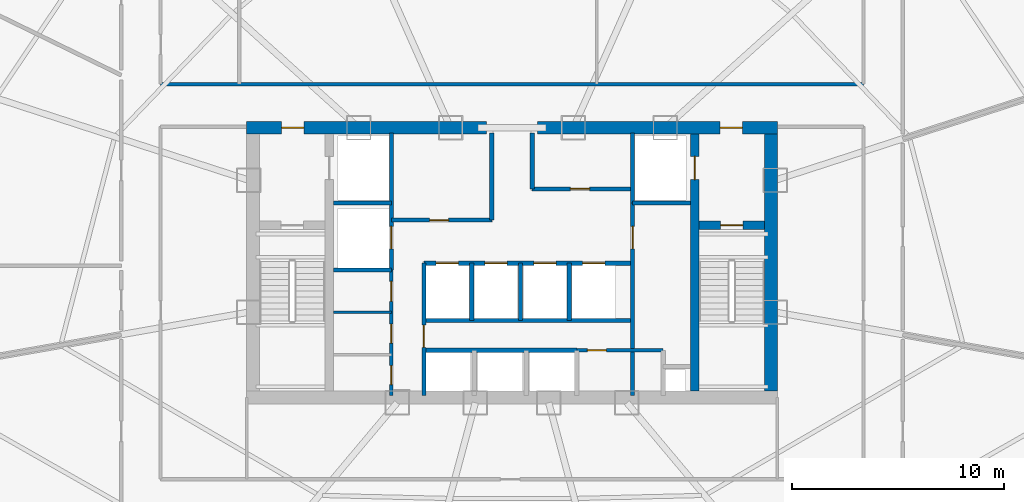
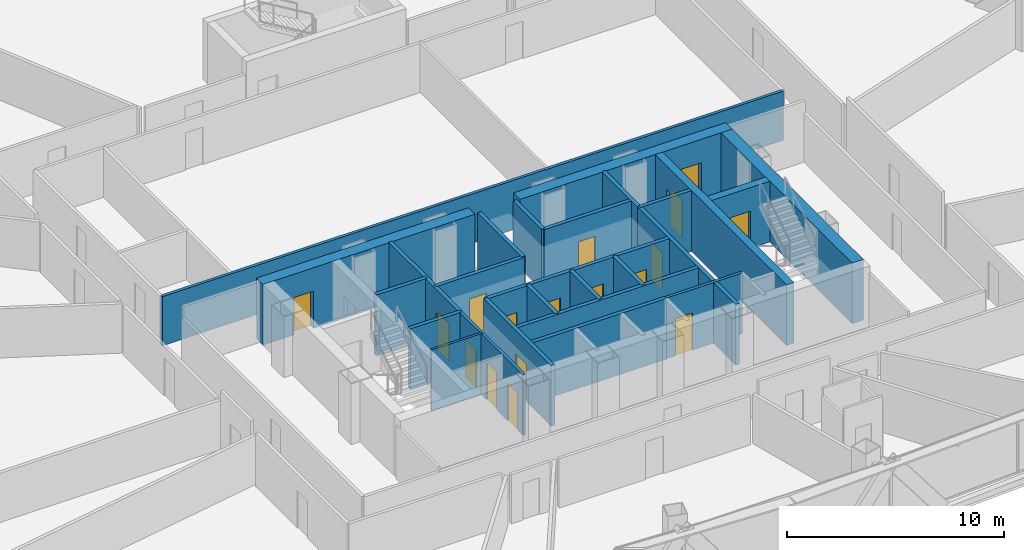
# One storey, part 33 of 39: 26 walls, 17 doors, 17 openings.
"""IFC4 building model written with IfcOpenShell, lengths in metres."""

from ifc_helpers import new_model, si_unit, direction, frame, frame_2d, origin, origin_with_axes, place, context, subcontext, project, spatial, rectangle, extrude, source, transform, mapped, material, layer, layer_set, type_object, element, fill, save


model = new_model("IFC4")

# Units and contexts
model_context = context("Model", 3, precision=1e-05, world=origin(), true_north=direction((0.0, 1.0)))
body_context = subcontext(model_context, "Body", "Model", "MODEL_VIEW")
ifc_project = project(units=[si_unit("LENGTHUNIT", "METRE"), si_unit("AREAUNIT", "SQUARE_METRE"), si_unit("VOLUMEUNIT", "CUBIC_METRE"), si_unit("PLANEANGLEUNIT", "RADIAN"), si_unit("MASSUNIT", "GRAM", prefix="KILO"), si_unit("THERMODYNAMICTEMPERATUREUNIT", "KELVIN"), si_unit("POWERUNIT", "WATT")], contexts=[model_context])

# Site, building, storey
site_placement = place(None, origin())
site = spatial("IfcSite", under=ifc_project, at=site_placement, CompositionType="ELEMENT")
building_placement = place(site_placement, origin())
building = spatial("IfcBuilding", under=site, at=building_placement, Name="Yunzhuo Pagoda Commons", CompositionType="ELEMENT")
storey_placement = place(building_placement, frame((0.0, 0.0, 140.8701171875)))
storey = spatial("IfcBuildingStorey", under=building, at=storey_placement, Name="L35", CompositionType="ELEMENT", Elevation=140.8701171875)

# Wall, opening, door
ifc_material_1 = material(Name="Concrete C60", Category="concrete")
ifc_layer_1 = layer(ifc_material_1, 0.60009765625)
ifc_layer_set_1 = layer_set([ifc_layer_1], Name="Concrete C60")
wall_type_1 = type_object("IfcWallType", Name="W-C02 Mid Core Shear Wall 600", PredefinedType="SHEAR", material=ifc_layer_set_1)
wall_1_placement = place(storey_placement, frame((35.5, 40.199951171875, 0.0), z_axis=(0.0, 0.0, 1.0), x_axis=(1.0, 0.0, 0.0)))
wall_1 = element("IfcWall", 1, at=wall_1_placement, inside=storey, type_object=wall_type_1, Name="L35 core shear wall NW", PredefinedType="SHEAR", context=body_context, shape_type="SweptSolid", body=[
    extrude(rectangle(XDim=11.300048828125, YDim=0.60009765625, at=frame_2d((5.64990234375, 0.0))), origin(), (0.0, 0.0, 1.0), 3.419921875),
])
opening_1_placement = place(wall_1_placement, frame((1.64990234375, 0.0, 0.0)))
opening_1 = element("IfcOpeningElement", 2, at=opening_1_placement, cuts=wall_1, Name="Opening D-02", PredefinedType="OPENING", context=body_context, shape_type="SweptSolid", body=[
    extrude(rectangle(XDim=1.050048828125, YDim=2.10009765625, at=frame_2d((0.52490234375, 1.050048828125))), frame((0.0, 0.31005859375, 0.0), z_axis=(0.0, -1.0, 0.0), x_axis=(1.0, 0.0, 0.0)), (0.0, 0.0, 1.0), 0.6201171875),
])
ifc_material_2 = material(Name="Galvanized fire-resisting metal leaf")
door_type_1 = type_object("IfcDoorType", Name="D-02 Firefighting Lobby & Refuge Fire Door 1050x2100", OperationType="NOTDEFINED", PredefinedType="DOOR", material=ifc_material_2)
shared_shape_1 = source(origin(), body_context, "Body", "SweptSolid", [
    extrude(rectangle(XDim=1.050048828125, YDim=2.10009765625, at=frame_2d((0.52490234375, 1.050048828125))), frame((0.0, 0.02490234375, 0.0), z_axis=(0.0, -1.0, 0.0), x_axis=(1.0, 0.0, 0.0)), (0.0, 0.0, 1.0), 0.050048828125),
])
door_1_placement = place(opening_1_placement, frame((1.050048828125, 0.0, 0.0), z_axis=(0.0, 0.0, 1.0), x_axis=(-1.0, 0.0, 0.0)))
door_1 = element("IfcDoor", 3, at=door_1_placement, inside=storey, type_object=door_type_1, Name="L35 Firefighting Lobby 1 fire door", OperationType="SINGLE_SWING_LEFT", OverallHeight=2.10009765625, OverallWidth=1.050048828125, PredefinedType="DOOR", context=body_context, shape_type="MappedRepresentation", body=[
    mapped(shared_shape_1, transform((0.0, 0.0, 0.0), scale=1.0)),
])
fill(opening_1, door_1)

wall_2_placement = place(storey_placement, frame((49.199951171875, 40.199951171875, 0.0), z_axis=(0.0, 0.0, 1.0), x_axis=(1.0, 0.0, 0.0)))
wall_2 = element("IfcWall", 4, at=wall_2_placement, inside=storey, type_object=wall_type_1, Name="L35 core shear wall NE", PredefinedType="SHEAR", context=body_context, shape_type="SweptSolid", body=[
    extrude(rectangle(XDim=11.300048828125, YDim=0.60009765625, at=frame_2d((5.64990234375, 0.0))), origin(), (0.0, 0.0, 1.0), 3.419921875),
])
opening_2_placement = place(wall_2_placement, frame((8.60009765625, 0.0, 0.0)))
opening_2 = element("IfcOpeningElement", 5, at=opening_2_placement, cuts=wall_2, Name="Opening D-02", PredefinedType="OPENING", context=body_context, shape_type="SweptSolid", body=[
    extrude(rectangle(XDim=1.050048828125, YDim=2.10009765625, at=frame_2d((0.52490234375, 1.050048828125))), frame((0.0, 0.31005859375, 0.0), z_axis=(0.0, -1.0, 0.0), x_axis=(1.0, 0.0, 0.0)), (0.0, 0.0, 1.0), 0.6201171875),
])
door_2_placement = place(opening_2_placement, frame((1.050048828125, 0.0, 0.0), z_axis=(0.0, 0.0, 1.0), x_axis=(-1.0, 0.0, 0.0)))
door_2 = element("IfcDoor", 6, at=door_2_placement, inside=storey, type_object=door_type_1, Name="L35 Firefighting Lobby 2 fire door", OperationType="SINGLE_SWING_RIGHT", OverallHeight=2.10009765625, OverallWidth=1.050048828125, PredefinedType="DOOR", context=body_context, shape_type="MappedRepresentation", body=[
    mapped(shared_shape_1, transform((0.0, 0.0, 0.0), scale=1.0)),
])
fill(opening_2, door_2)

# Wall
wall_3_placement = place(storey_placement, frame((60.199951171875, 27.800048828125, 0.0), z_axis=(0.0, 0.0, 1.0), x_axis=(0.0, 1.0, 0.0)))
element("IfcWall", 7, at=wall_3_placement, inside=storey, type_object=wall_type_1, Name="L35 core shear wall E", PredefinedType="SHEAR", context=body_context, shape_type="SweptSolid", body=[
    extrude(rectangle(XDim=12.099853515625, YDim=0.60009765625, at=frame_2d((6.0498046875, 0.0))), origin(), (0.0, 0.0, 1.0), 3.419921875),
])

# Wall, openings, doors
ifc_material_3 = material(Name="Gypsum plasterboard on acoustic stud")
ifc_layer_2 = layer(ifc_material_3, 0.155029296875)
ifc_layer_set_2 = layer_set([ifc_layer_2], Name="Gypsum plasterboard on acoustic stud")
wall_type_2 = type_object("IfcWallType", Name="W-COR2 Mid-Zone Rated Corridor Wall 155", PredefinedType="PARTITIONING", material=ifc_layer_set_2)
wall_4_placement = place(storey_placement, frame((42.320068359375, 27.60009765625, 0.0), z_axis=(0.0, 0.0, 1.0), x_axis=(0.0, 1.0, 0.0)))
wall_4 = element("IfcWall", 8, at=wall_4_placement, inside=storey, type_object=wall_type_2, Name="L35 interior wall IW-L35-CSWE", PredefinedType="PARTITIONING", context=body_context, shape_type="SweptSolid", body=[
    extrude(rectangle(XDim=5.89990234375, YDim=0.155029296875, at=frame_2d((2.949951171875, 0.0))), origin(), (0.0, 0.0, 1.0), 3.419921875),
])
opening_3_placement = place(wall_4_placement, frame((0.5, 0.0, 0.0)))
opening_3 = element("IfcOpeningElement", 9, at=opening_3_placement, cuts=wall_4, Name="Opening D-03", PredefinedType="OPENING", context=body_context, shape_type="SweptSolid", body=[
    extrude(rectangle(XDim=0.89990234375, YDim=2.10009765625, at=frame_2d((0.449951171875, 1.050048828125))), frame((0.0, 0.08740234375, 0.0), z_axis=(0.0, -1.0, 0.0), x_axis=(1.0, 0.0, 0.0)), (0.0, 0.0, 1.0), 0.175048828125),
])
opening_4_placement = place(wall_4_placement, frame((2.449951171875, 0.0, 0.0)))
opening_4 = element("IfcOpeningElement", 10, at=opening_4_placement, cuts=wall_4, Name="Opening D-03", PredefinedType="OPENING", context=body_context, shape_type="SweptSolid", body=[
    extrude(rectangle(XDim=0.89990234375, YDim=2.10009765625, at=frame_2d((0.449951171875, 1.050048828125))), frame((0.0, 0.08740234375, 0.0), z_axis=(0.0, -1.0, 0.0), x_axis=(1.0, 0.0, 0.0)), (0.0, 0.0, 1.0), 0.175048828125),
])
opening_5_placement = place(wall_4_placement, frame((4.419921875, 0.0, 0.0)))
opening_5 = element("IfcOpeningElement", 11, at=opening_5_placement, cuts=wall_4, Name="Opening D-11", PredefinedType="OPENING", context=body_context, shape_type="SweptSolid", body=[
    extrude(rectangle(XDim=0.93994140625, YDim=2.10009765625, at=frame_2d((0.469970703125, 1.050048828125))), frame((0.0, 0.08740234375, 0.0), z_axis=(0.0, -1.0, 0.0), x_axis=(1.0, 0.0, 0.0)), (0.0, 0.0, 1.0), 0.175048828125),
])
door_type_2 = type_object("IfcDoorType", Name="D-03 Core Service Fire Door 900x2100", OperationType="NOTDEFINED", PredefinedType="DOOR", material=ifc_material_2)
shared_shape_2 = source(origin(), body_context, "Body", "SweptSolid", [
    extrude(rectangle(XDim=0.89990234375, YDim=2.10009765625, at=frame_2d((0.449951171875, 1.050048828125))), frame((0.0, 0.02490234375, 0.0), z_axis=(0.0, -1.0, 0.0), x_axis=(1.0, 0.0, 0.0)), (0.0, 0.0, 1.0), 0.050048828125),
])
door_3_placement = place(opening_3_placement, origin_with_axes())
door_3 = element("IfcDoor", 12, at=door_3_placement, inside=storey, type_object=door_type_2, Name="L35 switch door", OperationType="SINGLE_SWING_RIGHT", OverallHeight=2.10009765625, OverallWidth=0.89990234375, PredefinedType="DOOR", context=body_context, shape_type="MappedRepresentation", body=[
    mapped(shared_shape_2, transform((0.0, 0.0, 0.0), scale=1.0)),
])
fill(opening_3, door_3)
door_4_placement = place(opening_4_placement, origin_with_axes())
door_4 = element("IfcDoor", 13, at=door_4_placement, inside=storey, type_object=door_type_2, Name="L35 cleaner door", OperationType="SINGLE_SWING_RIGHT", OverallHeight=2.10009765625, OverallWidth=0.89990234375, PredefinedType="DOOR", context=body_context, shape_type="MappedRepresentation", body=[
    mapped(shared_shape_2, transform((0.0, 0.0, 0.0), scale=1.0)),
])
fill(opening_4, door_4)
door_type_3 = type_object("IfcDoorType", Name="D-11 Accessible Washroom Fire Door 940x2100", OperationType="NOTDEFINED", PredefinedType="DOOR", material=ifc_material_2)
shared_shape_3 = source(origin(), body_context, "Body", "SweptSolid", [
    extrude(rectangle(XDim=0.93994140625, YDim=2.10009765625, at=frame_2d((0.469970703125, 1.050048828125))), frame((0.0, 0.02490234375, 0.0), z_axis=(0.0, -1.0, 0.0), x_axis=(1.0, 0.0, 0.0)), (0.0, 0.0, 1.0), 0.050048828125),
])
door_5_placement = place(opening_5_placement, origin_with_axes())
door_5 = element("IfcDoor", 14, at=door_5_placement, inside=storey, type_object=door_type_3, Name="L35 core WC door", OperationType="SINGLE_SWING_LEFT", OverallHeight=2.10009765625, OverallWidth=0.93994140625, PredefinedType="DOOR", context=body_context, shape_type="MappedRepresentation", body=[
    mapped(shared_shape_3, transform((0.0, 0.0, 0.0), scale=1.0)),
])
fill(opening_5, door_5)

# Wall, opening, door
wall_5_placement = place(storey_placement, frame((51.050048828125, 29.719970703125, 0.0), z_axis=(0.0, 0.0, 1.0), x_axis=(1.0, 0.0, 0.0)))
wall_5 = element("IfcWall", 15, at=wall_5_placement, inside=storey, type_object=wall_type_2, Name="L35 interior wall IW-L35-CSES", PredefinedType="PARTITIONING", context=body_context, shape_type="SweptSolid", body=[
    extrude(rectangle(XDim=4.070068359375, YDim=0.155029296875, at=frame_2d((2.03515625, 0.0))), origin(), (0.0, 0.0, 1.0), 3.419921875),
])
opening_6_placement = place(wall_5_placement, frame((0.5, 0.0, 0.0)))
opening_6 = element("IfcOpeningElement", 16, at=opening_6_placement, cuts=wall_5, Name="Opening D-03", PredefinedType="OPENING", context=body_context, shape_type="SweptSolid", body=[
    extrude(rectangle(XDim=0.89990234375, YDim=2.10009765625, at=frame_2d((0.449951171875, 1.050048828125))), frame((0.0, 0.08740234375, 0.0), z_axis=(0.0, -1.0, 0.0), x_axis=(1.0, 0.0, 0.0)), (0.0, 0.0, 1.0), 0.175048828125),
])
door_6_placement = place(opening_6_placement, origin_with_axes())
door_6 = element("IfcDoor", 17, at=door_6_placement, inside=storey, type_object=door_type_2, Name="L35 core pantry door", OperationType="SINGLE_SWING_RIGHT", OverallHeight=2.10009765625, OverallWidth=0.89990234375, PredefinedType="DOOR", context=body_context, shape_type="MappedRepresentation", body=[
    mapped(shared_shape_2, transform((0.0, 0.0, 0.0), scale=1.0)),
])
fill(opening_6, door_6)

# Walls
wall_6_placement = place(storey_placement, frame((31.449951171875, 42.25, 0.0), z_axis=(0.0, 0.0, 1.0), x_axis=(1.0, 0.0, 0.0)))
element("IfcWall", 18, at=wall_6_placement, inside=storey, type_object=wall_type_2, Name="L35 interior wall IW-L35-MCNS", PredefinedType="PARTITIONING", context=body_context, shape_type="SweptSolid", body=[
    extrude(rectangle(XDim=33.10009765625, YDim=0.155029296875, at=frame_2d((16.550048828125, 0.0))), origin(), (0.0, 0.0, 1.0), 2.769775390625),
])
ifc_layer_3 = layer(ifc_material_3, 0.1201171875)
ifc_layer_set_3 = layer_set([ifc_layer_3], Name="Gypsum plasterboard on acoustic stud")
wall_type_3 = type_object("IfcWallType", Name="W-PRT1 Suite & Bathroom Partition 120", PredefinedType="PARTITIONING", material=ifc_layer_set_3)
wall_7_placement = place(storey_placement, frame((39.60009765625, 31.5, 0.0), z_axis=(0.0, 0.0, 1.0), x_axis=(1.0, 0.0, 0.0)))
element("IfcWall", 19, at=wall_7_placement, inside=storey, type_object=wall_type_3, Name="L35 interior wall IW-L35-CC2", PredefinedType="PARTITIONING", context=body_context, shape_type="SweptSolid", body=[
    extrude(rectangle(XDim=2.719970703125, YDim=0.1201171875, at=frame_2d((1.35986328125, 0.0))), origin(), (0.0, 0.0, 1.0), 3.419921875),
])

# Wall, opening, door
ifc_layer_4 = layer(ifc_material_1, 0.39990234375)
ifc_layer_set_4 = layer_set([ifc_layer_4], Name="Concrete C60")
wall_type_4 = type_object("IfcWallType", Name="W-S01 Internal Core Shear Web 400", PredefinedType="SHEAR", material=ifc_layer_set_4)
wall_8_placement = place(storey_placement, frame((56.60009765625, 27.800048828125, 0.0), z_axis=(0.0, 0.0, 1.0), x_axis=(0.0, 1.0, 0.0)))
wall_8 = element("IfcWall", 20, at=wall_8_placement, inside=storey, type_object=wall_type_4, Name="L35 core shear wall WEBE", PredefinedType="SHEAR", context=body_context, shape_type="SweptSolid", body=[
    extrude(rectangle(XDim=12.099853515625, YDim=0.39990234375, at=frame_2d((6.0498046875, 0.0))), origin(), (0.0, 0.0, 1.0), 3.419921875),
])
opening_7_placement = place(wall_8_placement, frame((9.949951171875, 0.0, 0.0)))
opening_7 = element("IfcOpeningElement", 21, at=opening_7_placement, cuts=wall_8, Name="Opening LD-01", PredefinedType="OPENING", context=body_context, shape_type="SweptSolid", body=[
    extrude(rectangle(XDim=1.10009765625, YDim=2.10009765625, at=frame_2d((0.550048828125, 1.050048828125))), frame((0.0, 0.2099609375, 0.0), z_axis=(0.0, -1.0, 0.0), x_axis=(1.0, 0.0, 0.0)), (0.0, 0.0, 1.0), 0.419921875),
])
door_type_4 = type_object("IfcDoorType", Name="LD-01 Firefighting Lift Landing Door 1100x2100", OperationType="DOUBLE_DOOR_SLIDING", PredefinedType="DOOR", material=ifc_material_2)
shared_shape_4 = source(origin(), body_context, "Body", "SweptSolid", [
    extrude(rectangle(XDim=1.10009765625, YDim=2.10009765625, at=frame_2d((0.550048828125, 1.050048828125))), frame((0.0, 0.02490234375, 0.0), z_axis=(0.0, -1.0, 0.0), x_axis=(1.0, 0.0, 0.0)), (0.0, 0.0, 1.0), 0.050048828125),
])
door_7_placement = place(opening_7_placement, origin_with_axes())
door_7 = element("IfcDoor", 22, at=door_7_placement, inside=storey, type_object=door_type_4, Name="L35 Firefighting lift FL-2 landing door", OperationType="DOUBLE_DOOR_SLIDING", OverallHeight=2.10009765625, OverallWidth=1.10009765625, PredefinedType="DOOR", context=body_context, shape_type="MappedRepresentation", body=[
    mapped(shared_shape_4, transform((0.0, 0.0, 0.0), scale=1.0)),
])
fill(opening_7, door_7)

wall_9_placement = place(storey_placement, frame((56.800048828125, 35.60009765625, 0.0), z_axis=(0.0, 0.0, 1.0), x_axis=(1.0, 0.0, 0.0)))
wall_9 = element("IfcWall", 23, at=wall_9_placement, inside=storey, type_object=wall_type_4, Name="L35 core shear wall STE", PredefinedType="SHEAR", context=body_context, shape_type="SweptSolid", body=[
    extrude(rectangle(XDim=3.099853515625, YDim=0.39990234375, at=frame_2d((1.5498046875, 0.0))), origin(), (0.0, 0.0, 1.0), 3.419921875),
])
opening_8_placement = place(wall_9_placement, frame((1.02001953125, 0.0, 0.0)))
opening_8 = element("IfcOpeningElement", 24, at=opening_8_placement, cuts=wall_9, Name="Opening D-01", PredefinedType="OPENING", context=body_context, shape_type="SweptSolid", body=[
    extrude(rectangle(XDim=1.050048828125, YDim=2.10009765625, at=frame_2d((0.52490234375, 1.050048828125))), frame((0.0, 0.2099609375, 0.0), z_axis=(0.0, -1.0, 0.0), x_axis=(1.0, 0.0, 0.0)), (0.0, 0.0, 1.0), 0.419921875),
])
door_type_5 = type_object("IfcDoorType", Name="D-01 Smokeproof Stair Fire Door 1050x2100", OperationType="NOTDEFINED", PredefinedType="DOOR", material=ifc_material_2)
door_8_placement = place(opening_8_placement, frame((1.050048828125, 0.0, 0.0), z_axis=(0.0, 0.0, 1.0), x_axis=(-1.0, 0.0, 0.0)))
door_8 = element("IfcDoor", 25, at=door_8_placement, inside=storey, type_object=door_type_5, Name="L35 Stair ST2 fire door", OperationType="SINGLE_SWING_RIGHT", OverallHeight=2.10009765625, OverallWidth=1.050048828125, PredefinedType="DOOR", context=body_context, shape_type="MappedRepresentation", body=[
    mapped(shared_shape_1, transform((0.0, 0.0, 0.0), scale=1.0)),
])
fill(opening_8, door_8)

ifc_material_4 = material(Name="Concrete C40", Category="concrete")
ifc_layer_5 = layer(ifc_material_4, 0.199951171875)
ifc_layer_set_5 = layer_set([ifc_layer_5], Name="Concrete C40")
wall_type_5 = type_object("IfcWallType", Name="W-SHF Shaft & Stair Enclosure Wall 200", PredefinedType="SOLIDWALL", material=ifc_layer_set_5)
wall_10_placement = place(storey_placement, frame((42.320068359375, 33.5, 0.0), z_axis=(0.0, 0.0, 1.0), x_axis=(0.0, 1.0, 0.0)))
wall_10 = element("IfcWall", 26, at=wall_10_placement, inside=storey, type_object=wall_type_5, Name="L35 interior wall IW-L35-FL1E", PredefinedType="SOLIDWALL", context=body_context, shape_type="SweptSolid", body=[
    extrude(rectangle(XDim=6.449951171875, YDim=0.199951171875, at=frame_2d((3.22509765625, 0.0))), origin(), (0.0, 0.0, 1.0), 3.419921875),
])
opening_9_placement = place(wall_10_placement, frame((1.0, 0.0, 0.0)))
opening_9 = element("IfcOpeningElement", 27, at=opening_9_placement, cuts=wall_10, Name="Opening LD-02", PredefinedType="OPENING", context=body_context, shape_type="SweptSolid", body=[
    extrude(rectangle(XDim=1.050048828125, YDim=2.10009765625, at=frame_2d((0.52490234375, 1.050048828125))), frame((0.0, 0.10986328125, 0.0), z_axis=(0.0, -1.0, 0.0), x_axis=(1.0, 0.0, 0.0)), (0.0, 0.0, 1.0), 0.219970703125),
])
door_type_6 = type_object("IfcDoorType", Name="LD-02 Passenger Lift Landing Door 1050x2100", OperationType="DOUBLE_DOOR_SLIDING", PredefinedType="DOOR", material=ifc_material_2)
door_9_placement = place(opening_9_placement, origin_with_axes())
door_9 = element("IfcDoor", 28, at=door_9_placement, inside=storey, type_object=door_type_6, Name="L35 Service lift SL-1 landing door", OperationType="DOUBLE_DOOR_SLIDING", OverallHeight=2.10009765625, OverallWidth=1.050048828125, PredefinedType="DOOR", context=body_context, shape_type="MappedRepresentation", body=[
    mapped(shared_shape_1, transform((0.0, 0.0, 0.0), scale=1.0)),
])
fill(opening_9, door_9)

# Walls
for number, where, z_axis, x_axis, name in (
    (29, (39.60009765625, 36.64990234375, 0.0), (0.0, 0.0, 1.0), (1.0, 0.0, 0.0), "L35 interior wall IW-L35-FL1S"),
    (30, (39.60009765625, 33.5, 0.0), (0.0, 0.0, 1.0), (1.0, 0.0, 0.0), "L35 interior wall IW-L35-SL1S"),
):
    element("IfcWall", number, at=place(storey_placement, frame(where, z_axis=z_axis, x_axis=x_axis)), inside=storey, type_object=wall_type_5, Name=name, PredefinedType="SOLIDWALL", context=body_context, shape_type="SweptSolid", body=[
        extrude(rectangle(XDim=2.719970703125, YDim=0.199951171875, at=frame_2d((1.35986328125, 0.0))), origin(), (0.0, 0.0, 1.0), 3.419921875),
    ])
wall_11_placement = place(storey_placement, frame((53.679931640625, 36.64990234375, 0.0), z_axis=(0.0, 0.0, 1.0), x_axis=(0.0, 1.0, 0.0)))
element("IfcWall", 31, at=wall_11_placement, inside=storey, type_object=wall_type_5, Name="L35 interior wall IW-L35-FL2W", PredefinedType="SOLIDWALL", context=body_context, shape_type="SweptSolid", body=[
    extrude(rectangle(XDim=3.300048828125, YDim=0.199951171875, at=frame_2d((1.64990234375, 0.0))), origin(), (0.0, 0.0, 1.0), 3.419921875),
])
wall_12_placement = place(storey_placement, frame((53.679931640625, 36.64990234375, 0.0), z_axis=(0.0, 0.0, 1.0), x_axis=(1.0, 0.0, 0.0)))
element("IfcWall", 32, at=wall_12_placement, inside=storey, type_object=wall_type_5, Name="L35 interior wall IW-L35-FL2S", PredefinedType="SOLIDWALL", context=body_context, shape_type="SweptSolid", body=[
    extrude(rectangle(XDim=2.719970703125, YDim=0.199951171875, at=frame_2d((1.35986328125, 0.0))), origin(), (0.0, 0.0, 1.0), 3.419921875),
])

# Wall, opening, door
wall_13_placement = place(storey_placement, frame((42.320068359375, 35.85009765625, 0.0), z_axis=(0.0, 0.0, 1.0), x_axis=(1.0, 0.0, 0.0)))
wall_13 = element("IfcWall", 33, at=wall_13_placement, inside=storey, type_object=wall_type_5, Name="L35 interior wall IW-L35-LBNW", PredefinedType="SOLIDWALL", context=body_context, shape_type="SweptSolid", body=[
    extrude(rectangle(XDim=4.72998046875, YDim=0.199951171875, at=frame_2d((2.364990234375, 0.0))), origin(), (0.0, 0.0, 1.0), 3.419921875),
])
opening_10_placement = place(wall_13_placement, frame((1.800048828125, 0.0, 0.0)))
opening_10 = element("IfcOpeningElement", 34, at=opening_10_placement, cuts=wall_13, Name="Opening D-03", PredefinedType="OPENING", context=body_context, shape_type="SweptSolid", body=[
    extrude(rectangle(XDim=0.89990234375, YDim=2.10009765625, at=frame_2d((0.449951171875, 1.050048828125))), frame((0.0, 0.10986328125, 0.0), z_axis=(0.0, -1.0, 0.0), x_axis=(1.0, 0.0, 0.0)), (0.0, 0.0, 1.0), 0.219970703125),
])
door_10_placement = place(opening_10_placement, frame((0.89990234375, 0.0, 0.0), z_axis=(0.0, 0.0, 1.0), x_axis=(-1.0, 0.0, 0.0)))
door_10 = element("IfcDoor", 35, at=door_10_placement, inside=storey, type_object=door_type_2, Name="L35 core west store door", OperationType="SINGLE_SWING_LEFT", OverallHeight=2.10009765625, OverallWidth=0.89990234375, PredefinedType="DOOR", context=body_context, shape_type="MappedRepresentation", body=[
    mapped(shared_shape_2, transform((0.0, 0.0, 0.0), scale=1.0)),
])
fill(opening_10, door_10)

wall_14_placement = place(storey_placement, frame((48.949951171875, 37.320068359375, 0.0), z_axis=(0.0, 0.0, 1.0), x_axis=(1.0, 0.0, 0.0)))
wall_14 = element("IfcWall", 36, at=wall_14_placement, inside=storey, type_object=wall_type_5, Name="L35 interior wall IW-L35-LBNE", PredefinedType="SOLIDWALL", context=body_context, shape_type="SweptSolid", body=[
    extrude(rectangle(XDim=4.72998046875, YDim=0.199951171875, at=frame_2d((2.364990234375, 0.0))), origin(), (0.0, 0.0, 1.0), 3.419921875),
])
opening_11_placement = place(wall_14_placement, frame((1.800048828125, 0.0, 0.0)))
opening_11 = element("IfcOpeningElement", 37, at=opening_11_placement, cuts=wall_14, Name="Opening D-03", PredefinedType="OPENING", context=body_context, shape_type="SweptSolid", body=[
    extrude(rectangle(XDim=0.89990234375, YDim=2.10009765625, at=frame_2d((0.449951171875, 1.050048828125))), frame((0.0, 0.10986328125, 0.0), z_axis=(0.0, -1.0, 0.0), x_axis=(1.0, 0.0, 0.0)), (0.0, 0.0, 1.0), 0.219970703125),
])
door_11_placement = place(opening_11_placement, frame((0.89990234375, 0.0, 0.0), z_axis=(0.0, 0.0, 1.0), x_axis=(-1.0, 0.0, 0.0)))
door_11 = element("IfcDoor", 38, at=door_11_placement, inside=storey, type_object=door_type_2, Name="L35 core east store door", OperationType="SINGLE_SWING_RIGHT", OverallHeight=2.10009765625, OverallWidth=0.89990234375, PredefinedType="DOOR", context=body_context, shape_type="MappedRepresentation", body=[
    mapped(shared_shape_2, transform((0.0, 0.0, 0.0), scale=1.0)),
])
fill(opening_11, door_11)

# Walls
wall_15_placement = place(storey_placement, frame((47.050048828125, 35.85009765625, 0.0), z_axis=(0.0, 0.0, 1.0), x_axis=(0.0, 1.0, 0.0)))
element("IfcWall", 39, at=wall_15_placement, inside=storey, type_object=wall_type_5, Name="L35 interior wall IW-L35-THRW", PredefinedType="SOLIDWALL", context=body_context, shape_type="SweptSolid", body=[
    extrude(rectangle(XDim=4.099853515625, YDim=0.199951171875, at=frame_2d((2.0498046875, 0.0))), origin(), (0.0, 0.0, 1.0), 3.419921875),
])
wall_16_placement = place(storey_placement, frame((48.949951171875, 37.320068359375, 0.0), z_axis=(0.0, 0.0, 1.0), x_axis=(0.0, 1.0, 0.0)))
element("IfcWall", 40, at=wall_16_placement, inside=storey, type_object=wall_type_5, Name="L35 interior wall IW-L35-THRE", PredefinedType="SOLIDWALL", context=body_context, shape_type="SweptSolid", body=[
    extrude(rectangle(XDim=2.6298828125, YDim=0.199951171875, at=frame_2d((1.31494140625, 0.0))), origin(), (0.0, 0.0, 1.0), 3.419921875),
])

# Wall, openings, doors
wall_17_placement = place(storey_placement, frame((43.85009765625, 33.820068359375, 0.0), z_axis=(0.0, 0.0, 1.0), x_axis=(1.0, 0.0, 0.0)))
wall_17 = element("IfcWall", 41, at=wall_17_placement, inside=storey, type_object=wall_type_5, Name="L35 interior wall IW-L35-MLBS", PredefinedType="SOLIDWALL", context=body_context, shape_type="SweptSolid", body=[
    extrude(rectangle(XDim=9.829833984375, YDim=0.199951171875, at=frame_2d((4.9150390625, 0.0))), origin(), (0.0, 0.0, 1.0), 3.419921875),
])
opening_12_placement = place(wall_17_placement, frame((0.574951171875, 0.0, 0.0)))
opening_12 = element("IfcOpeningElement", 42, at=opening_12_placement, cuts=wall_17, Name="Opening LD-02", PredefinedType="OPENING", context=body_context, shape_type="SweptSolid", body=[
    extrude(rectangle(XDim=1.050048828125, YDim=2.10009765625, at=frame_2d((0.52490234375, 1.050048828125))), frame((0.0, 0.10986328125, 0.0), z_axis=(0.0, -1.0, 0.0), x_axis=(1.0, 0.0, 0.0)), (0.0, 0.0, 1.0), 0.219970703125),
])
opening_13_placement = place(wall_17_placement, frame((2.875, 0.0, 0.0)))
opening_13 = element("IfcOpeningElement", 43, at=opening_13_placement, cuts=wall_17, Name="Opening LD-02", PredefinedType="OPENING", context=body_context, shape_type="SweptSolid", body=[
    extrude(rectangle(XDim=1.050048828125, YDim=2.10009765625, at=frame_2d((0.52490234375, 1.050048828125))), frame((0.0, 0.10986328125, 0.0), z_axis=(0.0, -1.0, 0.0), x_axis=(1.0, 0.0, 0.0)), (0.0, 0.0, 1.0), 0.219970703125),
])
opening_14_placement = place(wall_17_placement, frame((5.175048828125, 0.0, 0.0)))
opening_14 = element("IfcOpeningElement", 44, at=opening_14_placement, cuts=wall_17, Name="Opening LD-02", PredefinedType="OPENING", context=body_context, shape_type="SweptSolid", body=[
    extrude(rectangle(XDim=1.050048828125, YDim=2.10009765625, at=frame_2d((0.52490234375, 1.050048828125))), frame((0.0, 0.10986328125, 0.0), z_axis=(0.0, -1.0, 0.0), x_axis=(1.0, 0.0, 0.0)), (0.0, 0.0, 1.0), 0.219970703125),
])
opening_15_placement = place(wall_17_placement, frame((7.47509765625, 0.0, 0.0)))
opening_15 = element("IfcOpeningElement", 45, at=opening_15_placement, cuts=wall_17, Name="Opening LD-02", PredefinedType="OPENING", context=body_context, shape_type="SweptSolid", body=[
    extrude(rectangle(XDim=1.050048828125, YDim=2.10009765625, at=frame_2d((0.52490234375, 1.050048828125))), frame((0.0, 0.10986328125, 0.0), z_axis=(0.0, -1.0, 0.0), x_axis=(1.0, 0.0, 0.0)), (0.0, 0.0, 1.0), 0.219970703125),
])
door_12_placement = place(opening_12_placement, origin_with_axes())
door_12 = element("IfcDoor", 46, at=door_12_placement, inside=storey, type_object=door_type_6, Name="L35 Passenger lift PL-M1 landing door", OperationType="DOUBLE_DOOR_SLIDING", OverallHeight=2.10009765625, OverallWidth=1.050048828125, PredefinedType="DOOR", context=body_context, shape_type="MappedRepresentation", body=[
    mapped(shared_shape_1, transform((0.0, 0.0, 0.0), scale=1.0)),
])
fill(opening_12, door_12)
door_13_placement = place(opening_13_placement, origin_with_axes())
door_13 = element("IfcDoor", 47, at=door_13_placement, inside=storey, type_object=door_type_6, Name="L35 Passenger lift PL-M2 landing door", OperationType="DOUBLE_DOOR_SLIDING", OverallHeight=2.10009765625, OverallWidth=1.050048828125, PredefinedType="DOOR", context=body_context, shape_type="MappedRepresentation", body=[
    mapped(shared_shape_1, transform((0.0, 0.0, 0.0), scale=1.0)),
])
fill(opening_13, door_13)
door_14_placement = place(opening_14_placement, origin_with_axes())
door_14 = element("IfcDoor", 48, at=door_14_placement, inside=storey, type_object=door_type_6, Name="L35 Passenger lift PL-M3 landing door", OperationType="DOUBLE_DOOR_SLIDING", OverallHeight=2.10009765625, OverallWidth=1.050048828125, PredefinedType="DOOR", context=body_context, shape_type="MappedRepresentation", body=[
    mapped(shared_shape_1, transform((0.0, 0.0, 0.0), scale=1.0)),
])
fill(opening_14, door_14)
door_15_placement = place(opening_15_placement, origin_with_axes())
door_15 = element("IfcDoor", 49, at=door_15_placement, inside=storey, type_object=door_type_6, Name="L35 Passenger lift PL-M4 landing door", OperationType="DOUBLE_DOOR_SLIDING", OverallHeight=2.10009765625, OverallWidth=1.050048828125, PredefinedType="DOOR", context=body_context, shape_type="MappedRepresentation", body=[
    mapped(shared_shape_1, transform((0.0, 0.0, 0.0), scale=1.0)),
])
fill(opening_15, door_15)

# Wall, opening, door
wall_18_placement = place(storey_placement, frame((43.85009765625, 27.60009765625, 0.0), z_axis=(0.0, 0.0, 1.0), x_axis=(0.0, 1.0, 0.0)))
wall_18 = element("IfcWall", 50, at=wall_18_placement, inside=storey, type_object=wall_type_5, Name="L35 interior wall IW-L35-PLMW", PredefinedType="SOLIDWALL", context=body_context, shape_type="SweptSolid", body=[
    extrude(rectangle(XDim=6.219970703125, YDim=0.199951171875, at=frame_2d((3.10986328125, 0.0))), origin(), (0.0, 0.0, 1.0), 3.419921875),
])
opening_16_placement = place(wall_18_placement, frame((2.25, 0.0, 0.0)))
opening_16 = element("IfcOpeningElement", 51, at=opening_16_placement, cuts=wall_18, Name="Opening D-02", PredefinedType="OPENING", context=body_context, shape_type="SweptSolid", body=[
    extrude(rectangle(XDim=1.050048828125, YDim=2.10009765625, at=frame_2d((0.52490234375, 1.050048828125))), frame((0.0, 0.10986328125, 0.0), z_axis=(0.0, -1.0, 0.0), x_axis=(1.0, 0.0, 0.0)), (0.0, 0.0, 1.0), 0.219970703125),
])
door_16_placement = place(opening_16_placement, frame((1.050048828125, 0.0, 0.0), z_axis=(0.0, 0.0, 1.0), x_axis=(-1.0, 0.0, 0.0)))
door_16 = element("IfcDoor", 52, at=door_16_placement, inside=storey, type_object=door_type_1, Name="L35 High-bank hall west door", OperationType="SINGLE_SWING_LEFT", OverallHeight=2.10009765625, OverallWidth=1.050048828125, PredefinedType="DOOR", context=body_context, shape_type="MappedRepresentation", body=[
    mapped(shared_shape_1, transform((0.0, 0.0, 0.0), scale=1.0)),
])
fill(opening_16, door_16)

wall_19_placement = place(storey_placement, frame((53.679931640625, 27.60009765625, 0.0), z_axis=(0.0, 0.0, 1.0), x_axis=(0.0, 1.0, 0.0)))
wall_19 = element("IfcWall", 53, at=wall_19_placement, inside=storey, type_object=wall_type_5, Name="L35 interior wall IW-L35-PLME", PredefinedType="SOLIDWALL", context=body_context, shape_type="SweptSolid", body=[
    extrude(rectangle(XDim=9.0498046875, YDim=0.199951171875, at=frame_2d((4.52490234375, 0.0))), origin(), (0.0, 0.0, 1.0), 3.419921875),
])
opening_17_placement = place(wall_19_placement, frame((6.89990234375, 0.0, 0.0)))
opening_17 = element("IfcOpeningElement", 54, at=opening_17_placement, cuts=wall_19, Name="Opening D-02", PredefinedType="OPENING", context=body_context, shape_type="SweptSolid", body=[
    extrude(rectangle(XDim=1.050048828125, YDim=2.10009765625, at=frame_2d((0.52490234375, 1.050048828125))), frame((0.0, 0.10986328125, 0.0), z_axis=(0.0, -1.0, 0.0), x_axis=(1.0, 0.0, 0.0)), (0.0, 0.0, 1.0), 0.219970703125),
])
door_17_placement = place(opening_17_placement, origin_with_axes())
door_17 = element("IfcDoor", 55, at=door_17_placement, inside=storey, type_object=door_type_1, Name="L35 High-bank lift hall door", OperationType="SINGLE_SWING_RIGHT", OverallHeight=2.10009765625, OverallWidth=1.050048828125, PredefinedType="DOOR", context=body_context, shape_type="MappedRepresentation", body=[
    mapped(shared_shape_1, transform((0.0, 0.0, 0.0), scale=1.0)),
])
fill(opening_17, door_17)

# Walls
for number, where, z_axis, x_axis, name in (
    (56, (46.10009765625, 31.1201171875, 0.0), (0.0, 0.0, 1.0), (0.0, 1.0, 0.0), "L35 interior wall IW-L35-PLMD1"),
    (57, (48.39990234375, 31.1201171875, 0.0), (0.0, 0.0, 1.0), (0.0, 1.0, 0.0), "L35 interior wall IW-L35-PLMD2"),
    (58, (50.699951171875, 31.1201171875, 0.0), (0.0, 0.0, 1.0), (0.0, 1.0, 0.0), "L35 interior wall IW-L35-PLMD3"),
):
    element("IfcWall", number, at=place(storey_placement, frame(where, z_axis=z_axis, x_axis=x_axis)), inside=storey, type_object=wall_type_5, Name=name, PredefinedType="SOLIDWALL", context=body_context, shape_type="SweptSolid", body=[
        extrude(rectangle(XDim=2.699951171875, YDim=0.199951171875, at=frame_2d((1.35009765625, 0.0))), origin(), (0.0, 0.0, 1.0), 3.419921875),
    ])
wall_20_placement = place(storey_placement, frame((43.85009765625, 29.719970703125, 0.0), z_axis=(0.0, 0.0, 1.0), x_axis=(1.0, 0.0, 0.0)))
element("IfcWall", 59, at=wall_20_placement, inside=storey, type_object=wall_type_5, Name="L35 interior wall IW-L35-PLHN", PredefinedType="SOLIDWALL", context=body_context, shape_type="SweptSolid", body=[
    extrude(rectangle(XDim=7.199951171875, YDim=0.199951171875, at=frame_2d((3.60009765625, 0.0))), origin(), (0.0, 0.0, 1.0), 3.419921875),
])
wall_21_placement = place(storey_placement, frame((43.85009765625, 31.1201171875, 0.0), z_axis=(0.0, 0.0, 1.0), x_axis=(1.0, 0.0, 0.0)))
element("IfcWall", 60, at=wall_21_placement, inside=storey, type_object=wall_type_5, Name="L35 interior wall IW-L35-PLMS2", PredefinedType="SOLIDWALL", context=body_context, shape_type="SweptSolid", body=[
    extrude(rectangle(XDim=9.829833984375, YDim=0.199951171875, at=frame_2d((4.9150390625, 0.0))), origin(), (0.0, 0.0, 1.0), 3.419921875),
])

save(model, "model.ifc")
